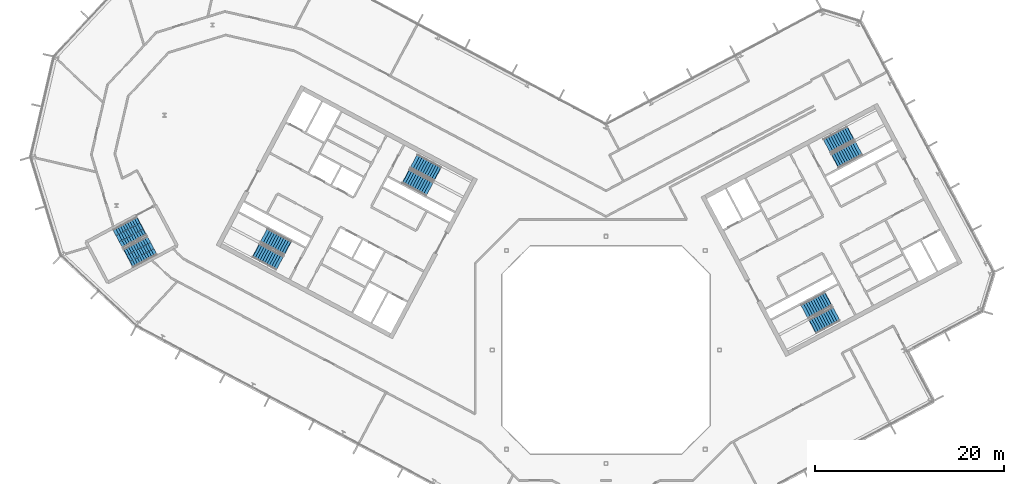
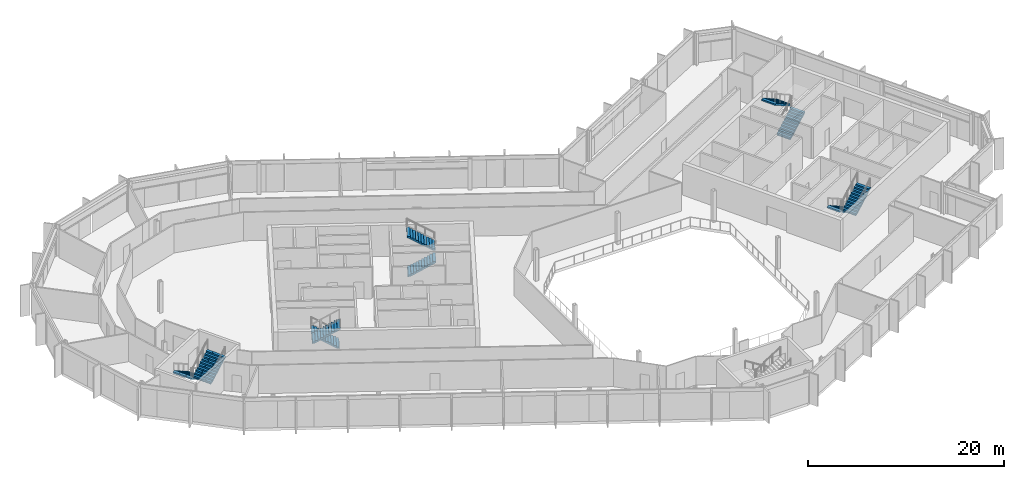
# One storey, part 18 of 26: 10 stair flights, 5 elements without a shape of their own.
"""IFC4 building model written with IfcOpenShell, lengths in metres."""

from ifc_helpers import new_model, si_unit, direction, frame, origin, place, context, subcontext, project, spatial, polyline, outline, extrude, material, type_object, element, aggregate, save


model = new_model("IFC4")

# Units and contexts
model_context = context("Model", 3, precision=1e-05, world=origin(), true_north=direction((0.0, 1.0)))
body_context = subcontext(model_context, "Body", "Model", "MODEL_VIEW")
ifc_project = project(units=[si_unit("LENGTHUNIT", "METRE"), si_unit("AREAUNIT", "SQUARE_METRE"), si_unit("VOLUMEUNIT", "CUBIC_METRE"), si_unit("PLANEANGLEUNIT", "RADIAN"), si_unit("MASSUNIT", "GRAM", prefix="KILO")], contexts=[model_context])

# Site, building, storey
site_placement = place(None, origin())
site = spatial("IfcSite", under=ifc_project, at=site_placement, CompositionType="ELEMENT")
building_placement = place(site_placement, origin())
building = spatial("IfcBuilding", under=site, at=building_placement, Name="Cormorant Relay Tower", CompositionType="ELEMENT")
storey_placement = place(building_placement, frame((0.0, 0.0, 285.300048828125)))
storey = spatial("IfcBuildingStorey", under=building, at=storey_placement, Name="L64", CompositionType="ELEMENT", Elevation=285.300048828125)

# Stair, stair flights
ifc_material_1 = material(Name="Concrete 40 MPa", Category="concrete")
stair_type_1 = type_object("IfcStairType", Name="Exit stair 1500", PredefinedType="HALF_TURN_STAIR", material=ifc_material_1)
stair_1_placement = place(storey_placement, origin())
stair_1 = element("IfcStair", 1, at=stair_1_placement, inside=storey, type_object=stair_type_1, Name="L64 Stair", PredefinedType="HALF_TURN_STAIR")
ifc_material_2 = material(Name="Concrete 40 MPa", Category="concrete")
stair_flight_type_1 = type_object("IfcStairFlightType", Name="Exit stair flight 1650", PredefinedType="STRAIGHT", material=ifc_material_2)
stair_flight_1_placement = place(storey_placement, frame((-21.114501953125, 18.33349609375, 0.0), z_axis=(0.0, 0.0, 1.0), x_axis=(0.882947592859, -0.469471562786, 0.0)))
stair_flight_1 = element("IfcStairFlight", 2, at=stair_flight_1_placement, type_object=stair_flight_type_1, Name="A1 flight 1", NumberOfRisers=11, NumberOfTreads=10, PredefinedType="STRAIGHT", RiserHeight=0.177272727, TreadLength=0.28, context=body_context, shape_type="SweptSolid", body=[
    extrude(outline(polyline([(-0.050048828125, -0.080078125), (-0.050048828125, 0.0), (0.0, 0.0), (0.0, 0.17724609375), (0.280029296875, 0.17724609375), (0.280029296875, 0.3544921875), (0.56005859375, 0.3544921875), (0.56005859375, 0.53173828125), (0.840087890625, 0.53173828125), (0.840087890625, 0.708984375), (1.1201171875, 0.708984375), (1.1201171875, 0.886474609375), (1.39990234375, 0.886474609375), (1.39990234375, 1.063720703125), (1.679931640625, 1.063720703125), (1.679931640625, 1.240966796875), (1.9599609375, 1.240966796875), (1.9599609375, 1.418212890625), (2.239990234375, 1.418212890625), (2.239990234375, 1.595458984375), (2.52001953125, 1.595458984375), (2.52001953125, 1.772705078125), (2.800048828125, 1.772705078125), (2.85009765625, 1.772705078125), (2.85009765625, 1.59521484375), (2.800048828125, 1.59521484375), (0.2802734375, 0.0), (-0.050048828125, -0.080078125)])), frame((0.0, 0.824951171875, 0.0), z_axis=(0.0, -1.0, 0.0), x_axis=(1.0, 0.0, 0.0)), (0.0, 0.0, 1.0), 1.64990234375),
])
stair_flight_2_placement = place(storey_placement, frame((-17.797119140625, 18.6083984375, 1.949951171875), z_axis=(0.0, 0.0, 1.0), x_axis=(-0.882947592859, 0.469471562786, 0.0)))
stair_flight_2 = element("IfcStairFlight", 3, at=stair_flight_2_placement, type_object=stair_flight_type_1, Name="A1 flight 2", NumberOfRisers=11, NumberOfTreads=10, PredefinedType="STRAIGHT", RiserHeight=0.177272727, TreadLength=0.28, context=body_context, shape_type="SweptSolid", body=[
    extrude(outline(polyline([(-0.050048828125, -0.080078125), (-0.050048828125, 0.0), (0.0, 0.0), (0.0, 0.17724609375), (0.280029296875, 0.17724609375), (0.280029296875, 0.3544921875), (0.56005859375, 0.3544921875), (0.56005859375, 0.53173828125), (0.840087890625, 0.53173828125), (0.840087890625, 0.708984375), (1.1201171875, 0.708984375), (1.1201171875, 0.886474609375), (1.39990234375, 0.886474609375), (1.39990234375, 1.063720703125), (1.679931640625, 1.063720703125), (1.679931640625, 1.240966796875), (1.9599609375, 1.240966796875), (1.9599609375, 1.418212890625), (2.239990234375, 1.418212890625), (2.239990234375, 1.595458984375), (2.52001953125, 1.595458984375), (2.52001953125, 1.772705078125), (2.800048828125, 1.772705078125), (2.85009765625, 1.772705078125), (2.85009765625, 1.59521484375), (2.800048828125, 1.59521484375), (0.2802734375, 0.0), (-0.050048828125, -0.080078125)])), frame((0.0, 0.824951171875, 0.0), z_axis=(0.0, -1.0, 0.0), x_axis=(1.0, 0.0, 0.0)), (0.0, 0.0, 1.0), 1.64990234375),
])
aggregate(stair_1, [stair_flight_1, stair_flight_2])

stair_2_placement = place(storey_placement, origin())
stair_2 = element("IfcStair", 4, at=stair_2_placement, inside=storey, type_object=stair_type_1, Name="L64 Stair", PredefinedType="HALF_TURN_STAIR")
stair_flight_3_placement = place(storey_placement, frame((-33.62841796875, 10.773681640625, 0.0), z_axis=(0.0, 0.0, 1.0), x_axis=(-0.882947592859, 0.469471562786, 0.0)))
stair_flight_3 = element("IfcStairFlight", 5, at=stair_flight_3_placement, type_object=stair_flight_type_1, Name="A2 flight 1", NumberOfRisers=11, NumberOfTreads=10, PredefinedType="STRAIGHT", RiserHeight=0.177272727, TreadLength=0.28, context=body_context, shape_type="SweptSolid", body=[
    extrude(outline(polyline([(-0.050048828125, -0.080078125), (-0.050048828125, 0.0), (0.0, 0.0), (0.0, 0.17724609375), (0.280029296875, 0.17724609375), (0.280029296875, 0.3544921875), (0.56005859375, 0.3544921875), (0.56005859375, 0.53173828125), (0.840087890625, 0.53173828125), (0.840087890625, 0.708984375), (1.1201171875, 0.708984375), (1.1201171875, 0.886474609375), (1.39990234375, 0.886474609375), (1.39990234375, 1.063720703125), (1.679931640625, 1.063720703125), (1.679931640625, 1.240966796875), (1.9599609375, 1.240966796875), (1.9599609375, 1.418212890625), (2.239990234375, 1.418212890625), (2.239990234375, 1.595458984375), (2.52001953125, 1.595458984375), (2.52001953125, 1.772705078125), (2.800048828125, 1.772705078125), (2.85009765625, 1.772705078125), (2.85009765625, 1.59521484375), (2.800048828125, 1.59521484375), (0.2802734375, 0.0), (-0.050048828125, -0.080078125)])), frame((0.0, 0.824951171875, 0.0), z_axis=(0.0, -1.0, 0.0), x_axis=(1.0, 0.0, 0.0)), (0.0, 0.0, 1.0), 1.64990234375),
])
stair_flight_4_placement = place(storey_placement, frame((-36.945556640625, 10.498779296875, 1.949951171875), z_axis=(0.0, 0.0, 1.0), x_axis=(0.882947592859, -0.469471562786, 0.0)))
stair_flight_4 = element("IfcStairFlight", 6, at=stair_flight_4_placement, type_object=stair_flight_type_1, Name="A2 flight 2", NumberOfRisers=11, NumberOfTreads=10, PredefinedType="STRAIGHT", RiserHeight=0.177272727, TreadLength=0.28, context=body_context, shape_type="SweptSolid", body=[
    extrude(outline(polyline([(-0.050048828125, -0.080078125), (-0.050048828125, 0.0), (0.0, 0.0), (0.0, 0.17724609375), (0.280029296875, 0.17724609375), (0.280029296875, 0.3544921875), (0.56005859375, 0.3544921875), (0.56005859375, 0.53173828125), (0.840087890625, 0.53173828125), (0.840087890625, 0.708984375), (1.1201171875, 0.708984375), (1.1201171875, 0.886474609375), (1.39990234375, 0.886474609375), (1.39990234375, 1.063720703125), (1.679931640625, 1.063720703125), (1.679931640625, 1.240966796875), (1.9599609375, 1.240966796875), (1.9599609375, 1.418212890625), (2.239990234375, 1.418212890625), (2.239990234375, 1.595458984375), (2.52001953125, 1.595458984375), (2.52001953125, 1.772705078125), (2.800048828125, 1.772705078125), (2.85009765625, 1.772705078125), (2.85009765625, 1.59521484375), (2.800048828125, 1.59521484375), (0.2802734375, 0.0), (-0.050048828125, -0.080078125)])), frame((0.0, 0.824951171875, 0.0), z_axis=(0.0, -1.0, 0.0), x_axis=(1.0, 0.0, 0.0)), (0.0, 0.0, 1.0), 1.64990234375),
])
aggregate(stair_2, [stair_flight_3, stair_flight_4])

stair_3_placement = place(storey_placement, origin())
stair_3 = element("IfcStair", 7, at=stair_3_placement, inside=storey, type_object=stair_type_1, Name="L64 Stair", PredefinedType="HALF_TURN_STAIR")
stair_flight_5_placement = place(storey_placement, frame((23.474365234375, 5.374755859375, 0.0), z_axis=(0.0, 0.0, 1.0), x_axis=(-0.882947592859, -0.469471562786, 0.0)))
stair_flight_5 = element("IfcStairFlight", 8, at=stair_flight_5_placement, type_object=stair_flight_type_1, Name="B1 flight 1", NumberOfRisers=11, NumberOfTreads=10, PredefinedType="STRAIGHT", RiserHeight=0.177272727, TreadLength=0.28, context=body_context, shape_type="SweptSolid", body=[
    extrude(outline(polyline([(-0.050048828125, -0.080078125), (-0.050048828125, 0.0), (0.0, 0.0), (0.0, 0.17724609375), (0.280029296875, 0.17724609375), (0.280029296875, 0.3544921875), (0.56005859375, 0.3544921875), (0.56005859375, 0.53173828125), (0.840087890625, 0.53173828125), (0.840087890625, 0.708984375), (1.1201171875, 0.708984375), (1.1201171875, 0.886474609375), (1.39990234375, 0.886474609375), (1.39990234375, 1.063720703125), (1.679931640625, 1.063720703125), (1.679931640625, 1.240966796875), (1.9599609375, 1.240966796875), (1.9599609375, 1.418212890625), (2.239990234375, 1.418212890625), (2.239990234375, 1.595458984375), (2.52001953125, 1.595458984375), (2.52001953125, 1.772705078125), (2.800048828125, 1.772705078125), (2.85009765625, 1.772705078125), (2.85009765625, 1.59521484375), (2.800048828125, 1.59521484375), (0.2802734375, 0.0), (-0.050048828125, -0.080078125)])), frame((0.0, 0.824951171875, 0.0), z_axis=(0.0, -1.0, 0.0), x_axis=(1.0, 0.0, 0.0)), (0.0, 0.0, 1.0), 1.64990234375),
])
stair_flight_6_placement = place(storey_placement, frame((21.84716796875, 2.470947265625, 1.949951171875), z_axis=(0.0, 0.0, 1.0), x_axis=(0.882947592859, 0.469471562786, 0.0)))
stair_flight_6 = element("IfcStairFlight", 9, at=stair_flight_6_placement, type_object=stair_flight_type_1, Name="B1 flight 2", NumberOfRisers=11, NumberOfTreads=10, PredefinedType="STRAIGHT", RiserHeight=0.177272727, TreadLength=0.28, context=body_context, shape_type="SweptSolid", body=[
    extrude(outline(polyline([(-0.050048828125, -0.080078125), (-0.050048828125, 0.0), (0.0, 0.0), (0.0, 0.17724609375), (0.280029296875, 0.17724609375), (0.280029296875, 0.3544921875), (0.56005859375, 0.3544921875), (0.56005859375, 0.53173828125), (0.840087890625, 0.53173828125), (0.840087890625, 0.708984375), (1.1201171875, 0.708984375), (1.1201171875, 0.886474609375), (1.39990234375, 0.886474609375), (1.39990234375, 1.063720703125), (1.679931640625, 1.063720703125), (1.679931640625, 1.240966796875), (1.9599609375, 1.240966796875), (1.9599609375, 1.418212890625), (2.239990234375, 1.418212890625), (2.239990234375, 1.595458984375), (2.52001953125, 1.595458984375), (2.52001953125, 1.772705078125), (2.800048828125, 1.772705078125), (2.85009765625, 1.772705078125), (2.85009765625, 1.59521484375), (2.800048828125, 1.59521484375), (0.2802734375, 0.0), (-0.050048828125, -0.080078125)])), frame((0.0, 0.824951171875, 0.0), z_axis=(0.0, -1.0, 0.0), x_axis=(1.0, 0.0, 0.0)), (0.0, 0.0, 1.0), 1.64990234375),
])
aggregate(stair_3, [stair_flight_5, stair_flight_6])

stair_4_placement = place(storey_placement, origin())
stair_4 = element("IfcStair", 10, at=stair_4_placement, inside=storey, type_object=stair_type_1, Name="L64 Stair", PredefinedType="HALF_TURN_STAIR")
stair_flight_7_placement = place(storey_placement, frame((24.20458984375, 19.976806640625, 0.0), z_axis=(0.0, 0.0, 1.0), x_axis=(0.882947592859, 0.469471562786, 0.0)))
stair_flight_7 = element("IfcStairFlight", 11, at=stair_flight_7_placement, type_object=stair_flight_type_1, Name="B2 flight 1", NumberOfRisers=11, NumberOfTreads=10, PredefinedType="STRAIGHT", RiserHeight=0.177272727, TreadLength=0.28, context=body_context, shape_type="SweptSolid", body=[
    extrude(outline(polyline([(-0.050048828125, -0.080078125), (-0.050048828125, 0.0), (0.0, 0.0), (0.0, 0.17724609375), (0.280029296875, 0.17724609375), (0.280029296875, 0.3544921875), (0.56005859375, 0.3544921875), (0.56005859375, 0.53173828125), (0.840087890625, 0.53173828125), (0.840087890625, 0.708984375), (1.1201171875, 0.708984375), (1.1201171875, 0.886474609375), (1.39990234375, 0.886474609375), (1.39990234375, 1.063720703125), (1.679931640625, 1.063720703125), (1.679931640625, 1.240966796875), (1.9599609375, 1.240966796875), (1.9599609375, 1.418212890625), (2.239990234375, 1.418212890625), (2.239990234375, 1.595458984375), (2.52001953125, 1.595458984375), (2.52001953125, 1.772705078125), (2.800048828125, 1.772705078125), (2.85009765625, 1.772705078125), (2.85009765625, 1.59521484375), (2.800048828125, 1.59521484375), (0.2802734375, 0.0), (-0.050048828125, -0.080078125)])), frame((0.0, 0.824951171875, 0.0), z_axis=(0.0, -1.0, 0.0), x_axis=(1.0, 0.0, 0.0)), (0.0, 0.0, 1.0), 1.64990234375),
])
stair_flight_8_placement = place(storey_placement, frame((25.831787109375, 22.880615234375, 1.949951171875), z_axis=(0.0, 0.0, 1.0), x_axis=(-0.882947592859, -0.469471562786, 0.0)))
stair_flight_8 = element("IfcStairFlight", 12, at=stair_flight_8_placement, type_object=stair_flight_type_1, Name="B2 flight 2", NumberOfRisers=11, NumberOfTreads=10, PredefinedType="STRAIGHT", RiserHeight=0.177272727, TreadLength=0.28, context=body_context, shape_type="SweptSolid", body=[
    extrude(outline(polyline([(-0.050048828125, -0.080078125), (-0.050048828125, 0.0), (0.0, 0.0), (0.0, 0.17724609375), (0.280029296875, 0.17724609375), (0.280029296875, 0.3544921875), (0.56005859375, 0.3544921875), (0.56005859375, 0.53173828125), (0.840087890625, 0.53173828125), (0.840087890625, 0.708984375), (1.1201171875, 0.708984375), (1.1201171875, 0.886474609375), (1.39990234375, 0.886474609375), (1.39990234375, 1.063720703125), (1.679931640625, 1.063720703125), (1.679931640625, 1.240966796875), (1.9599609375, 1.240966796875), (1.9599609375, 1.418212890625), (2.239990234375, 1.418212890625), (2.239990234375, 1.595458984375), (2.52001953125, 1.595458984375), (2.52001953125, 1.772705078125), (2.800048828125, 1.772705078125), (2.85009765625, 1.772705078125), (2.85009765625, 1.59521484375), (2.800048828125, 1.59521484375), (0.2802734375, 0.0), (-0.050048828125, -0.080078125)])), frame((0.0, 0.824951171875, 0.0), z_axis=(0.0, -1.0, 0.0), x_axis=(1.0, 0.0, 0.0)), (0.0, 0.0, 1.0), 1.64990234375),
])
aggregate(stair_4, [stair_flight_7, stair_flight_8])

ifc_material_3 = material(Name="Concrete 40 MPa", Category="concrete")
stair_type_2 = type_object("IfcStairType", Name="Remote exit stair 2200", PredefinedType="HALF_TURN_STAIR", material=ifc_material_3)
stair_5_placement = place(storey_placement, origin())
stair_5 = element("IfcStair", 13, at=stair_5_placement, inside=storey, type_object=stair_type_2, Name="L64 Stair", PredefinedType="HALF_TURN_STAIR")
ifc_material_4 = material(Name="Concrete 40 MPa", Category="concrete")
stair_flight_type_2 = type_object("IfcStairFlightType", Name="Remote exit stair flight 2200", PredefinedType="STRAIGHT", material=ifc_material_4)
stair_flight_9_placement = place(storey_placement, frame((-49.062255859375, 13.08251953125, 0.0), z_axis=(0.0, 0.0, 1.0), x_axis=(-0.882947502727, -0.4694717323, 0.0)))
stair_flight_9 = element("IfcStairFlight", 14, at=stair_flight_9_placement, type_object=stair_flight_type_2, Name="RP1 flight 1", NumberOfRisers=11, NumberOfTreads=10, PredefinedType="STRAIGHT", RiserHeight=0.177272727, TreadLength=0.28, context=body_context, shape_type="SweptSolid", body=[
    extrude(outline(polyline([(-0.050048828125, -0.080078125), (-0.050048828125, 0.0), (0.0, 0.0), (0.0, 0.17724609375), (0.280029296875, 0.17724609375), (0.280029296875, 0.3544921875), (0.56005859375, 0.3544921875), (0.56005859375, 0.53173828125), (0.840087890625, 0.53173828125), (0.840087890625, 0.708984375), (1.1201171875, 0.708984375), (1.1201171875, 0.886474609375), (1.39990234375, 0.886474609375), (1.39990234375, 1.063720703125), (1.679931640625, 1.063720703125), (1.679931640625, 1.240966796875), (1.9599609375, 1.240966796875), (1.9599609375, 1.418212890625), (2.239990234375, 1.418212890625), (2.239990234375, 1.595458984375), (2.52001953125, 1.595458984375), (2.52001953125, 1.772705078125), (2.800048828125, 1.772705078125), (2.85009765625, 1.772705078125), (2.85009765625, 1.59521484375), (2.800048828125, 1.59521484375), (0.2802734375, 0.0), (-0.050048828125, -0.080078125)])), frame((0.0, 1.10009765625, 0.0), z_axis=(0.0, -1.0, 0.0), x_axis=(1.0, 0.0, 0.0)), (0.0, 0.0, 1.0), 0.719970703125),
    extrude(outline(polyline([(-0.050048828125, -0.080078125), (-0.050048828125, 0.0), (0.0, 0.0), (0.0, 0.17724609375), (0.280029296875, 0.17724609375), (0.280029296875, 0.3544921875), (0.56005859375, 0.3544921875), (0.56005859375, 0.53173828125), (0.840087890625, 0.53173828125), (0.840087890625, 0.708984375), (1.1201171875, 0.708984375), (1.1201171875, 0.886474609375), (1.39990234375, 0.886474609375), (1.39990234375, 1.063720703125), (1.679931640625, 1.063720703125), (1.679931640625, 1.240966796875), (1.9599609375, 1.240966796875), (1.9599609375, 1.418212890625), (2.239990234375, 1.418212890625), (2.239990234375, 1.595458984375), (2.52001953125, 1.595458984375), (2.52001953125, 1.772705078125), (2.800048828125, 1.772705078125), (2.85009765625, 1.772705078125), (2.85009765625, 1.59521484375), (2.800048828125, 1.59521484375), (0.2802734375, 0.0), (-0.050048828125, -0.080078125)])), frame((0.0, 0.360107421875, 0.0), z_axis=(0.0, -1.0, 0.0), x_axis=(1.0, 0.0, 0.0)), (0.0, 0.0, 1.0), 0.719970703125),
    extrude(outline(polyline([(-0.050048828125, -0.080078125), (-0.050048828125, 0.0), (0.0, 0.0), (0.0, 0.17724609375), (0.280029296875, 0.17724609375), (0.280029296875, 0.3544921875), (0.56005859375, 0.3544921875), (0.56005859375, 0.53173828125), (0.840087890625, 0.53173828125), (0.840087890625, 0.708984375), (1.1201171875, 0.708984375), (1.1201171875, 0.886474609375), (1.39990234375, 0.886474609375), (1.39990234375, 1.063720703125), (1.679931640625, 1.063720703125), (1.679931640625, 1.240966796875), (1.9599609375, 1.240966796875), (1.9599609375, 1.418212890625), (2.239990234375, 1.418212890625), (2.239990234375, 1.595458984375), (2.52001953125, 1.595458984375), (2.52001953125, 1.772705078125), (2.800048828125, 1.772705078125), (2.85009765625, 1.772705078125), (2.85009765625, 1.59521484375), (2.800048828125, 1.59521484375), (0.2802734375, 0.0), (-0.050048828125, -0.080078125)])), frame((0.0, -0.3798828125, 0.0), z_axis=(0.0, -1.0, 0.0), x_axis=(1.0, 0.0, 0.0)), (0.0, 0.0, 1.0), 0.719970703125),
])
stair_flight_10_placement = place(storey_placement, frame((-50.431396484375, 9.693115234375, 1.949951171875), z_axis=(0.0, 0.0, 1.0), x_axis=(0.882947502727, 0.4694717323, 0.0)))
stair_flight_10 = element("IfcStairFlight", 15, at=stair_flight_10_placement, type_object=stair_flight_type_2, Name="RP1 flight 2", NumberOfRisers=11, NumberOfTreads=10, PredefinedType="STRAIGHT", RiserHeight=0.177272727, TreadLength=0.28, context=body_context, shape_type="SweptSolid", body=[
    extrude(outline(polyline([(-0.050048828125, -0.080078125), (-0.050048828125, 0.0), (0.0, 0.0), (0.0, 0.17724609375), (0.280029296875, 0.17724609375), (0.280029296875, 0.3544921875), (0.56005859375, 0.3544921875), (0.56005859375, 0.53173828125), (0.840087890625, 0.53173828125), (0.840087890625, 0.708984375), (1.1201171875, 0.708984375), (1.1201171875, 0.886474609375), (1.39990234375, 0.886474609375), (1.39990234375, 1.063720703125), (1.679931640625, 1.063720703125), (1.679931640625, 1.240966796875), (1.9599609375, 1.240966796875), (1.9599609375, 1.418212890625), (2.239990234375, 1.418212890625), (2.239990234375, 1.595458984375), (2.52001953125, 1.595458984375), (2.52001953125, 1.772705078125), (2.800048828125, 1.772705078125), (2.85009765625, 1.772705078125), (2.85009765625, 1.59521484375), (2.800048828125, 1.59521484375), (0.2802734375, 0.0), (-0.050048828125, -0.080078125)])), frame((0.0, 1.10009765625, 0.0), z_axis=(0.0, -1.0, 0.0), x_axis=(1.0, 0.0, 0.0)), (0.0, 0.0, 1.0), 0.719970703125),
    extrude(outline(polyline([(-0.050048828125, -0.080078125), (-0.050048828125, 0.0), (0.0, 0.0), (0.0, 0.17724609375), (0.280029296875, 0.17724609375), (0.280029296875, 0.3544921875), (0.56005859375, 0.3544921875), (0.56005859375, 0.53173828125), (0.840087890625, 0.53173828125), (0.840087890625, 0.708984375), (1.1201171875, 0.708984375), (1.1201171875, 0.886474609375), (1.39990234375, 0.886474609375), (1.39990234375, 1.063720703125), (1.679931640625, 1.063720703125), (1.679931640625, 1.240966796875), (1.9599609375, 1.240966796875), (1.9599609375, 1.418212890625), (2.239990234375, 1.418212890625), (2.239990234375, 1.595458984375), (2.52001953125, 1.595458984375), (2.52001953125, 1.772705078125), (2.800048828125, 1.772705078125), (2.85009765625, 1.772705078125), (2.85009765625, 1.59521484375), (2.800048828125, 1.59521484375), (0.2802734375, 0.0), (-0.050048828125, -0.080078125)])), frame((0.0, 0.360107421875, 0.0), z_axis=(0.0, -1.0, 0.0), x_axis=(1.0, 0.0, 0.0)), (0.0, 0.0, 1.0), 0.719970703125),
    extrude(outline(polyline([(-0.050048828125, -0.080078125), (-0.050048828125, 0.0), (0.0, 0.0), (0.0, 0.17724609375), (0.280029296875, 0.17724609375), (0.280029296875, 0.3544921875), (0.56005859375, 0.3544921875), (0.56005859375, 0.53173828125), (0.840087890625, 0.53173828125), (0.840087890625, 0.708984375), (1.1201171875, 0.708984375), (1.1201171875, 0.886474609375), (1.39990234375, 0.886474609375), (1.39990234375, 1.063720703125), (1.679931640625, 1.063720703125), (1.679931640625, 1.240966796875), (1.9599609375, 1.240966796875), (1.9599609375, 1.418212890625), (2.239990234375, 1.418212890625), (2.239990234375, 1.595458984375), (2.52001953125, 1.595458984375), (2.52001953125, 1.772705078125), (2.800048828125, 1.772705078125), (2.85009765625, 1.772705078125), (2.85009765625, 1.59521484375), (2.800048828125, 1.59521484375), (0.2802734375, 0.0), (-0.050048828125, -0.080078125)])), frame((0.0, -0.3798828125, 0.0), z_axis=(0.0, -1.0, 0.0), x_axis=(1.0, 0.0, 0.0)), (0.0, 0.0, 1.0), 0.719970703125),
])
aggregate(stair_5, [stair_flight_9, stair_flight_10])

save(model, "model.ifc")
